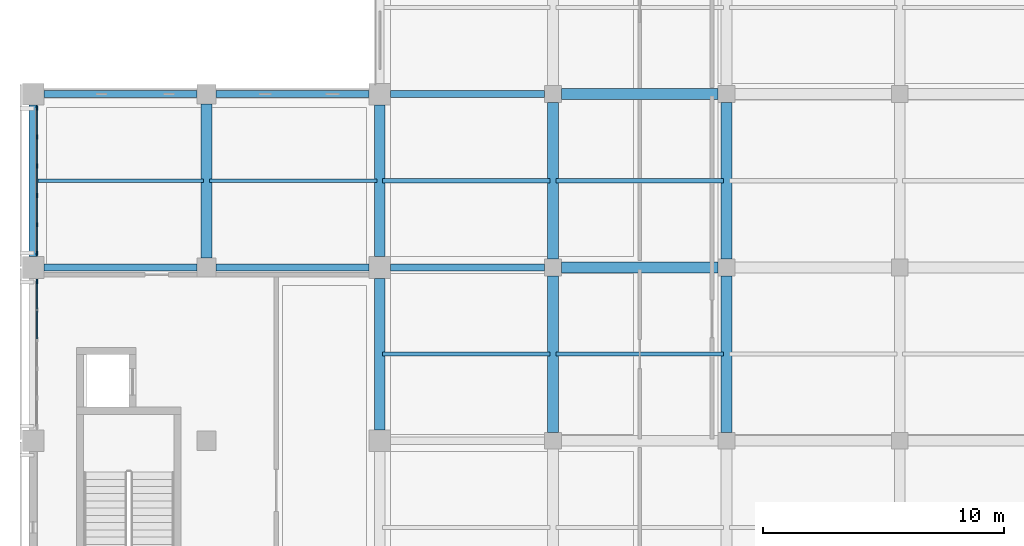
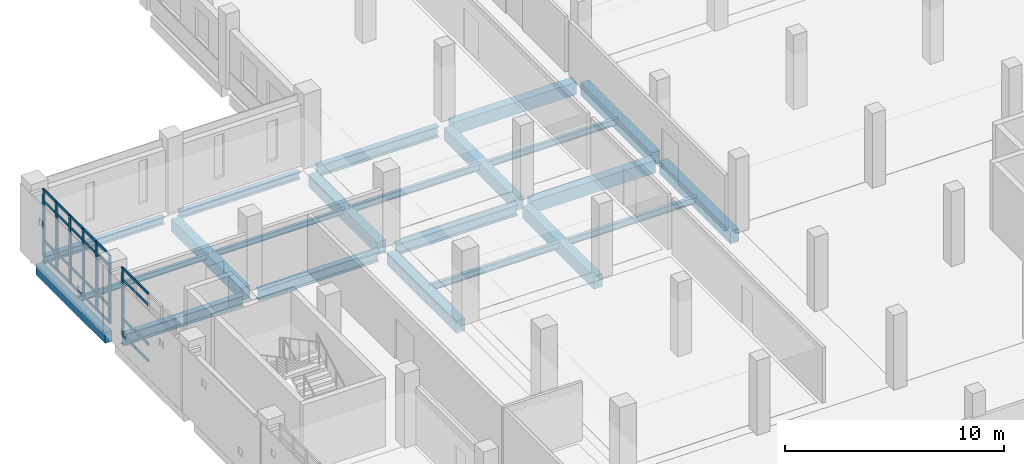
# One storey, part 16 of 57: 35 members, 22 beams, 2 elements without a shape of their own.
"""IFC4 building model written with IfcOpenShell, lengths in metres."""

from ifc_helpers import new_model, si_unit, direction, frame, origin, origin_2d, place, context, subcontext, project, spatial, rectangle, i_section, extrude, material, layer, layer_set, material_profile, profile_set, type_object, element, aggregate, save


model = new_model("IFC4")

# Units and contexts
model_context = context("Model", 3, precision=1e-05, world=origin(), true_north=direction((0.0, 1.0)))
body_context = subcontext(model_context, "Body", "Model", "MODEL_VIEW")
ifc_project = project(units=[si_unit("LENGTHUNIT", "METRE"), si_unit("AREAUNIT", "SQUARE_METRE"), si_unit("VOLUMEUNIT", "CUBIC_METRE"), si_unit("PLANEANGLEUNIT", "RADIAN"), si_unit("MASSUNIT", "GRAM", prefix="KILO")], contexts=[model_context])

# Site, building, storey
site_placement = place(None, origin())
site = spatial("IfcSite", under=ifc_project, at=site_placement, CompositionType="ELEMENT")
building_placement = place(site_placement, origin())
building = spatial("IfcBuilding", under=site, at=building_placement, Name="Valkovuoma Quantum and Materials Research Institute", CompositionType="ELEMENT")
storey_placement = place(building_placement, frame((0.0, 0.0, 4.800048828125)))
storey = spatial("IfcBuildingStorey", under=building, at=storey_placement, Name="L01", CompositionType="ELEMENT", Elevation=4.800048828125)

# Beams
ifc_material_1 = material(Name="Steel S355J2", Category="steel")
ifc_material_profile_1 = material_profile(ifc_material_1, i_section(OverallWidth=0.300048828125, OverallDepth=0.389892578125, WebThickness=0.010986328125, FlangeThickness=0.01904296875, FilletRadius=0.027099609375, at=origin_2d()), Name="Steel S355J2")
ifc_profile_set_1 = profile_set([ifc_material_profile_1], Name="Steel S355J2")
beam_type_1 = type_object("IfcBeamType", Name="Beam-B-HEA400", PredefinedType="SPANDREL", material=ifc_profile_set_1)
beam_1_placement = place(storey_placement, frame((0.449951171875, 93.60009765625, -0.545166015625), z_axis=(1.0, 0.0, 0.0), x_axis=(0.0, 1.0, 0.0)))
element("IfcBeam", 1, at=beam_1_placement, inside=storey, type_object=beam_type_1, Name="L01 beam X-0679", PredefinedType="SPANDREL", context=body_context, shape_type="SweptSolid", body=[
    extrude(i_section(OverallWidth=0.300048828125, OverallDepth=0.389892578125, WebThickness=0.010986328125, FlangeThickness=0.01904296875, FilletRadius=0.027099609375, at=origin_2d()), origin(), (0.0, 0.0, 1.0), 6.35009765625),
])
beam_2_placement = place(storey_placement, frame((7.60009765625, 93.60009765625, -0.545166015625), z_axis=(1.0, 0.0, 0.0), x_axis=(0.0, 1.0, 0.0)))
element("IfcBeam", 2, at=beam_2_placement, inside=storey, type_object=beam_type_1, Name="L01 beam X-0680", PredefinedType="SPANDREL", context=body_context, shape_type="SweptSolid", body=[
    extrude(i_section(OverallWidth=0.300048828125, OverallDepth=0.389892578125, WebThickness=0.010986328125, FlangeThickness=0.01904296875, FilletRadius=0.027099609375, at=origin_2d()), origin(), (0.0, 0.0, 1.0), 6.349853515625),
])
ifc_material_2 = material(Name="Steel S355J2", Category="steel")
ifc_material_profile_2 = material_profile(ifc_material_2, i_section(OverallWidth=0.300048828125, OverallDepth=0.60009765625, WebThickness=0.015380859375, FlangeThickness=0.030029296875, FilletRadius=0.027099609375, at=origin_2d()), Name="Steel S355J2")
ifc_profile_set_2 = profile_set([ifc_material_profile_2], Name="Steel S355J2")
beam_type_2 = type_object("IfcBeamType", Name="Beam-B-HEB600", PredefinedType="BEAM", material=ifc_profile_set_2)
beam_3_placement = place(storey_placement, frame((0.449951171875, 86.39990234375, -0.650146484375), z_axis=(1.0, 0.0, 0.0), x_axis=(0.0, 1.0, 0.0)))
element("IfcBeam", 3, at=beam_3_placement, inside=storey, type_object=beam_type_2, Name="L01 beam X-0667", PredefinedType="BEAM", context=body_context, shape_type="SweptSolid", body=[
    extrude(i_section(OverallWidth=0.300048828125, OverallDepth=0.60009765625, WebThickness=0.015380859375, FlangeThickness=0.030029296875, FilletRadius=0.027099609375, at=origin_2d()), origin(), (0.0, 0.0, 1.0), 6.35009765625),
])
beam_4_placement = place(storey_placement, frame((7.60009765625, 86.39990234375, -0.650146484375), z_axis=(1.0, 0.0, 0.0), x_axis=(0.0, 1.0, 0.0)))
element("IfcBeam", 4, at=beam_4_placement, inside=storey, type_object=beam_type_2, Name="L01 beam X-0668", PredefinedType="BEAM", context=body_context, shape_type="SweptSolid", body=[
    extrude(i_section(OverallWidth=0.300048828125, OverallDepth=0.60009765625, WebThickness=0.015380859375, FlangeThickness=0.030029296875, FilletRadius=0.027099609375, at=origin_2d()), origin(), (0.0, 0.0, 1.0), 6.349853515625),
])
for number, where, z_axis, x_axis, name in (
    (5, (14.85009765625, 86.39990234375, -0.650146484375), (1.0, 0.0, 0.0), (0.0, 1.0, 0.0), "L01 beam X-0669"),
    (6, (14.85009765625, 93.60009765625, -0.650146484375), (1.0, 0.0, 0.0), (0.0, 1.0, 0.0), "L01 beam X-0681"),
):
    element("IfcBeam", number, at=place(storey_placement, frame(where, z_axis=z_axis, x_axis=x_axis)), inside=storey, type_object=beam_type_2, Name=name, PredefinedType="BEAM", context=body_context, shape_type="SweptSolid", body=[
        extrude(i_section(OverallWidth=0.300048828125, OverallDepth=0.60009765625, WebThickness=0.015380859375, FlangeThickness=0.030029296875, FilletRadius=0.027099609375, at=origin_2d()), origin(), (0.0, 0.0, 1.0), 6.39990234375),
    ])
ifc_material_3 = material(Name="Steel S355J2", Category="steel")
ifc_material_profile_3 = material_profile(ifc_material_3, i_section(OverallWidth=0.14990234375, OverallDepth=0.300048828125, WebThickness=0.007080078125, FlangeThickness=0.0107421875, FilletRadius=0.014892578125, at=origin_2d()), Name="Steel S355J2")
ifc_profile_set_3 = profile_set([ifc_material_profile_3], Name="Steel S355J2")
beam_type_3 = type_object("IfcBeamType", Name="Beam-B-JST300", PredefinedType="JOIST", material=ifc_profile_set_3)
for number, where, z_axis, x_axis, name in (
    (7, (0.1201171875, 90.0, -0.5), (1.0, 0.0, 0.0), (0.0, 1.0, 0.0), "L01 floor joist 0950"),
    (8, (7.320068359375, 90.0, -0.5), (1.0, 0.0, 0.0), (0.0, 1.0, 0.0), "L01 floor joist 0951"),
):
    element("IfcBeam", number, at=place(storey_placement, frame(where, z_axis=z_axis, x_axis=x_axis)), inside=storey, type_object=beam_type_3, Name=name, PredefinedType="JOIST", context=body_context, shape_type="SweptSolid", body=[
        extrude(i_section(OverallWidth=0.14990234375, OverallDepth=0.300048828125, WebThickness=0.007080078125, FlangeThickness=0.0107421875, FilletRadius=0.014892578125, at=origin_2d()), origin(), (0.0, 0.0, 1.0), 6.9599609375),
    ])
ifc_material_4 = material(Name="Steel S355J2", Category="steel")
ifc_material_profile_4 = material_profile(ifc_material_4, i_section(OverallWidth=0.169921875, OverallDepth=0.360107421875, WebThickness=0.008056640625, FlangeThickness=0.0126953125, FilletRadius=0.01806640625, at=origin_2d()), Name="Steel S355J2")
ifc_profile_set_4 = profile_set([ifc_material_profile_4], Name="Steel S355J2")
beam_type_4 = type_object("IfcBeamType", Name="Beam-B-JST360", PredefinedType="JOIST", material=ifc_profile_set_4)
for number, where, z_axis, x_axis, name in (
    (9, (14.52001953125, 82.800048828125, -0.530029296875), (1.0, 0.0, 0.0), (0.0, 1.0, 0.0), "L01 floor joist 0940"),
    (10, (21.719970703125, 82.800048828125, -0.530029296875), (1.0, 0.0, 0.0), (0.0, 1.0, 0.0), "L01 floor joist 0941"),
    (11, (14.52001953125, 90.0, -0.530029296875), (1.0, 0.0, 0.0), (0.0, 1.0, 0.0), "L01 floor joist 0952"),
    (12, (21.719970703125, 90.0, -0.530029296875), (1.0, 0.0, 0.0), (0.0, 1.0, 0.0), "L01 floor joist 0953"),
):
    element("IfcBeam", number, at=place(storey_placement, frame(where, z_axis=z_axis, x_axis=x_axis)), inside=storey, type_object=beam_type_4, Name=name, PredefinedType="JOIST", context=body_context, shape_type="SweptSolid", body=[
        extrude(i_section(OverallWidth=0.169921875, OverallDepth=0.360107421875, WebThickness=0.008056640625, FlangeThickness=0.0126953125, FilletRadius=0.01806640625, at=origin_2d()), origin(), (0.0, 0.0, 1.0), 6.9599609375),
    ])
ifc_material_5 = material(Name="Concrete C40/50", Category="concrete")
ifc_material_profile_5 = material_profile(ifc_material_5, rectangle(XDim=0.449951171875, YDim=0.699951171875, at=origin_2d()), Name="Concrete C40/50")
ifc_profile_set_5 = profile_set([ifc_material_profile_5], Name="Concrete C40/50")
beam_type_5 = type_object("IfcBeamType", Name="Beam-B-RC700", PredefinedType="BEAM", material=ifc_profile_set_5)
for number, where, z_axis, x_axis, name in (
    (13, (21.949951171875, 86.39990234375, -0.699951171875), (1.0, 0.0, 0.0), (0.0, 1.0, 0.0), "L01 beam X-0670"),
    (14, (21.949951171875, 93.60009765625, -0.699951171875), (1.0, 0.0, 0.0), (0.0, 1.0, 0.0), "L01 beam X-0682"),
):
    element("IfcBeam", number, at=place(storey_placement, frame(where, z_axis=z_axis, x_axis=x_axis)), inside=storey, type_object=beam_type_5, Name=name, PredefinedType="BEAM", context=body_context, shape_type="SweptSolid", body=[
        extrude(rectangle(XDim=0.449951171875, YDim=0.699951171875, at=origin_2d()), origin(), (0.0, 0.0, 1.0), 6.5),
    ])
beam_5_placement = place(storey_placement, frame((7.199951171875, 86.800048828125, -0.699951171875), z_axis=(0.0, 1.0, 0.0), x_axis=(-1.0, 0.0, 0.0)))
element("IfcBeam", 15, at=beam_5_placement, inside=storey, type_object=beam_type_5, Name="L01 beam Y-0723", PredefinedType="BEAM", context=body_context, shape_type="SweptSolid", body=[
    extrude(rectangle(XDim=0.449951171875, YDim=0.699951171875, at=origin_2d()), origin(), (0.0, 0.0, 1.0), 6.39990234375),
])
beam_6_placement = place(storey_placement, frame((14.39990234375, 79.64990234375, -0.699951171875), z_axis=(0.0, 1.0, 0.0), x_axis=(-1.0, 0.0, 0.0)))
element("IfcBeam", 16, at=beam_6_placement, inside=storey, type_object=beam_type_5, Name="L01 beam Y-0727", PredefinedType="BEAM", context=body_context, shape_type="SweptSolid", body=[
    extrude(rectangle(XDim=0.449951171875, YDim=0.699951171875, at=origin_2d()), origin(), (0.0, 0.0, 1.0), 6.300048828125),
])
beam_7_placement = place(storey_placement, frame((14.39990234375, 86.85009765625, -0.699951171875), z_axis=(0.0, 1.0, 0.0), x_axis=(-1.0, 0.0, 0.0)))
element("IfcBeam", 17, at=beam_7_placement, inside=storey, type_object=beam_type_5, Name="L01 beam Y-0728", PredefinedType="BEAM", context=body_context, shape_type="SweptSolid", body=[
    extrude(rectangle(XDim=0.449951171875, YDim=0.699951171875, at=origin_2d()), origin(), (0.0, 0.0, 1.0), 6.2998046875),
])
for number, where, z_axis, x_axis, name in (
    (18, (21.60009765625, 79.550048828125, -0.699951171875), (0.0, 1.0, 0.0), (-1.0, 0.0, 0.0), "L01 beam Y-0737"),
    (19, (21.60009765625, 86.75, -0.699951171875), (0.0, 1.0, 0.0), (-1.0, 0.0, 0.0), "L01 beam Y-0738"),
    (20, (28.800048828125, 79.550048828125, -0.699951171875), (0.0, 1.0, 0.0), (-1.0, 0.0, 0.0), "L01 beam Y-0747"),
    (21, (28.800048828125, 86.75, -0.699951171875), (0.0, 1.0, 0.0), (-1.0, 0.0, 0.0), "L01 beam Y-0748"),
):
    element("IfcBeam", number, at=place(storey_placement, frame(where, z_axis=z_axis, x_axis=x_axis)), inside=storey, type_object=beam_type_5, Name=name, PredefinedType="BEAM", context=body_context, shape_type="SweptSolid", body=[
        extrude(rectangle(XDim=0.449951171875, YDim=0.699951171875, at=origin_2d()), origin(), (0.0, 0.0, 1.0), 6.5),
    ])
ifc_material_6 = material(Name="Concrete C40/50", Category="concrete")
ifc_material_profile_6 = material_profile(ifc_material_6, rectangle(XDim=0.35009765625, YDim=0.60009765625, at=origin_2d()), Name="Concrete C40/50")
ifc_profile_set_6 = profile_set([ifc_material_profile_6], Name="Concrete C40/50")
beam_type_6 = type_object("IfcBeamType", Name="Beam-B-SPN600", PredefinedType="SPANDREL", material=ifc_profile_set_6)
beam_8_placement = place(storey_placement, frame((0.0, 86.85009765625, -0.650146484375), z_axis=(0.0, 1.0, 0.0), x_axis=(-1.0, 0.0, 0.0)))
element("IfcBeam", 22, at=beam_8_placement, inside=storey, type_object=beam_type_6, Name="L01 beam Y-0720", PredefinedType="SPANDREL", context=body_context, shape_type="SweptSolid", body=[
    extrude(rectangle(XDim=0.35009765625, YDim=0.60009765625, at=origin_2d()), origin(), (0.0, 0.0, 1.0), 6.2998046875),
])

# Curtain wall, member
ifc_material_7 = material(Name="Thermally broken aluminium and triple low-E glazing", Category="aluminium")
ifc_layer = layer(ifc_material_7, 0.219970703125)
ifc_layer_set = layer_set([ifc_layer], Name="Thermally broken aluminium and triple low-E glazing")
curtain_wall_type = type_object("IfcCurtainWallType", Name="CW-CW-01", PredefinedType="NOTDEFINED", material=ifc_layer_set)
curtain_wall_1_placement = place(storey_placement, origin())
curtain_wall_1 = element("IfcCurtainWall", 23, at=curtain_wall_1_placement, inside=storey, type_object=curtain_wall_type, Name="L01 curtain wall 016", PredefinedType="NOTDEFINED")
ifc_material_8 = material(Name="Anodised aluminium 6060-T66", Category="aluminium")
ifc_material_profile_7 = material_profile(ifc_material_8, rectangle(XDim=0.06494140625, YDim=0.179931640625, at=origin_2d()), Name="Anodised aluminium 6060-T66")
ifc_profile_set_7 = profile_set([ifc_material_profile_7], Name="Anodised aluminium 6060-T66")
member_type_1 = type_object("IfcMemberType", Name="CWMull-CWM-01", PredefinedType="MULLION", material=ifc_profile_set_7)
member_1_placement = place(storey_placement, frame((0.14990234375, 85.810302734375, 0.0), z_axis=(0.0, 0.0, 1.0), x_axis=(-1.0, 0.0, 0.0)))
member_1 = element("IfcMember", 24, at=member_1_placement, type_object=member_type_1, Name="CW-01 mullion 6", PredefinedType="MULLION", context=body_context, shape_type="SweptSolid", body=[
    extrude(rectangle(XDim=0.06494140625, YDim=0.179931640625, at=origin_2d()), origin(), (0.0, 0.0, 1.0), 3.81005859375),
])

# Curtain wall, members
curtain_wall_2_placement = place(storey_placement, origin())
curtain_wall_2 = element("IfcCurtainWall", 25, at=curtain_wall_2_placement, inside=storey, type_object=curtain_wall_type, Name="L01 curtain wall 017", PredefinedType="NOTDEFINED")
member_2_placement = place(storey_placement, frame((0.14990234375, 86.989501953125, 0.0), z_axis=(0.0, 0.0, 1.0), x_axis=(-1.0, 0.0, 0.0)))
member_2 = element("IfcMember", 26, at=member_2_placement, type_object=member_type_1, Name="CW-01 mullion 1", PredefinedType="MULLION", context=body_context, shape_type="SweptSolid", body=[
    extrude(rectangle(XDim=0.06494140625, YDim=0.179931640625, at=origin_2d()), origin(), (0.0, 0.0, 1.0), 3.81005859375),
])
member_3_placement = place(storey_placement, frame((0.14990234375, 88.17431640625, 0.0), z_axis=(0.0, 0.0, 1.0), x_axis=(-1.0, 0.0, 0.0)))
member_3 = element("IfcMember", 27, at=member_3_placement, type_object=member_type_1, Name="CW-01 mullion 2", PredefinedType="MULLION", context=body_context, shape_type="SweptSolid", body=[
    extrude(rectangle(XDim=0.06494140625, YDim=0.179931640625, at=origin_2d()), origin(), (0.0, 0.0, 1.0), 3.81005859375),
])
member_4_placement = place(storey_placement, frame((0.14990234375, 89.391357421875, 0.0), z_axis=(0.0, 0.0, 1.0), x_axis=(-1.0, 0.0, 0.0)))
member_4 = element("IfcMember", 28, at=member_4_placement, type_object=member_type_1, Name="CW-01 mullion 3", PredefinedType="MULLION", context=body_context, shape_type="SweptSolid", body=[
    extrude(rectangle(XDim=0.06494140625, YDim=0.179931640625, at=origin_2d()), origin(), (0.0, 0.0, 1.0), 3.81005859375),
])
member_5_placement = place(storey_placement, frame((0.14990234375, 90.608642578125, 0.0), z_axis=(0.0, 0.0, 1.0), x_axis=(-1.0, 0.0, 0.0)))
member_5 = element("IfcMember", 29, at=member_5_placement, type_object=member_type_1, Name="CW-01 mullion 4", PredefinedType="MULLION", context=body_context, shape_type="SweptSolid", body=[
    extrude(rectangle(XDim=0.06494140625, YDim=0.179931640625, at=origin_2d()), origin(), (0.0, 0.0, 1.0), 3.81005859375),
])
member_6_placement = place(storey_placement, frame((0.14990234375, 91.82568359375, 0.0), z_axis=(0.0, 0.0, 1.0), x_axis=(-1.0, 0.0, 0.0)))
member_6 = element("IfcMember", 30, at=member_6_placement, type_object=member_type_1, Name="CW-01 mullion 5", PredefinedType="MULLION", context=body_context, shape_type="SweptSolid", body=[
    extrude(rectangle(XDim=0.06494140625, YDim=0.179931640625, at=origin_2d()), origin(), (0.0, 0.0, 1.0), 3.81005859375),
])
member_7_placement = place(storey_placement, frame((0.14990234375, 93.010498046875, 0.0), z_axis=(0.0, 0.0, 1.0), x_axis=(-1.0, 0.0, 0.0)))
member_7 = element("IfcMember", 31, at=member_7_placement, type_object=member_type_1, Name="CW-01 mullion 6", PredefinedType="MULLION", context=body_context, shape_type="SweptSolid", body=[
    extrude(rectangle(XDim=0.06494140625, YDim=0.179931640625, at=origin_2d()), origin(), (0.0, 0.0, 1.0), 3.81005859375),
])

# Member
ifc_material_9 = material(Name="Anodised aluminium 6060-T66", Category="aluminium")
ifc_material_profile_8 = material_profile(ifc_material_9, rectangle(XDim=0.06494140625, YDim=0.139892578125, at=origin_2d()), Name="Anodised aluminium 6060-T66")
ifc_profile_set_8 = profile_set([ifc_material_profile_8], Name="Anodised aluminium 6060-T66")
member_type_2 = type_object("IfcMemberType", Name="CWTran-CWT-01", PredefinedType="USERDEFINED", material=ifc_profile_set_8)
member_8_placement = place(storey_placement, frame((0.14990234375, 83.441162109375, 0.032470703125), z_axis=(0.0, 1.0, 0.0), x_axis=(-1.0, 0.0, 0.0)))
member_8 = element("IfcMember", 32, at=member_8_placement, type_object=member_type_2, Name="CW-01 transom 4.1", ObjectType="TRANSOM", PredefinedType="USERDEFINED", context=body_context, shape_type="SweptSolid", body=[
    extrude(rectangle(XDim=0.06494140625, YDim=0.139892578125, at=origin_2d()), origin(), (0.0, 0.0, 1.0), 1.152099609375),
])

member_9_placement = place(storey_placement, frame((0.14990234375, 83.441162109375, 0.949951171875), z_axis=(0.0, 1.0, 0.0), x_axis=(-1.0, 0.0, 0.0)))
member_9 = element("IfcMember", 33, at=member_9_placement, type_object=member_type_2, Name="CW-01 transom 4.2", ObjectType="TRANSOM", PredefinedType="USERDEFINED", context=body_context, shape_type="SweptSolid", body=[
    extrude(rectangle(XDim=0.06494140625, YDim=0.139892578125, at=origin_2d()), origin(), (0.0, 0.0, 1.0), 1.152099609375),
])

member_10_placement = place(storey_placement, frame((0.14990234375, 83.441162109375, 3.159912109375), z_axis=(0.0, 1.0, 0.0), x_axis=(-1.0, 0.0, 0.0)))
member_10 = element("IfcMember", 34, at=member_10_placement, type_object=member_type_2, Name="CW-01 transom 4.3", ObjectType="TRANSOM", PredefinedType="USERDEFINED", context=body_context, shape_type="SweptSolid", body=[
    extrude(rectangle(XDim=0.06494140625, YDim=0.139892578125, at=origin_2d()), origin(), (0.0, 0.0, 1.0), 1.152099609375),
])

member_11_placement = place(storey_placement, frame((0.14990234375, 83.441162109375, 3.77734375), z_axis=(0.0, 1.0, 0.0), x_axis=(-1.0, 0.0, 0.0)))
member_11 = element("IfcMember", 35, at=member_11_placement, type_object=member_type_2, Name="CW-01 transom 4.4", ObjectType="TRANSOM", PredefinedType="USERDEFINED", context=body_context, shape_type="SweptSolid", body=[
    extrude(rectangle(XDim=0.06494140625, YDim=0.139892578125, at=origin_2d()), origin(), (0.0, 0.0, 1.0), 1.152099609375),
])

member_12_placement = place(storey_placement, frame((0.14990234375, 84.658203125, 0.032470703125), z_axis=(0.0, 1.0, 0.0), x_axis=(-1.0, 0.0, 0.0)))
member_12 = element("IfcMember", 36, at=member_12_placement, type_object=member_type_2, Name="CW-01 transom 5.1", ObjectType="TRANSOM", PredefinedType="USERDEFINED", context=body_context, shape_type="SweptSolid", body=[
    extrude(rectangle(XDim=0.06494140625, YDim=0.139892578125, at=origin_2d()), origin(), (0.0, 0.0, 1.0), 1.11962890625),
])

member_13_placement = place(storey_placement, frame((0.14990234375, 84.658203125, 0.949951171875), z_axis=(0.0, 1.0, 0.0), x_axis=(-1.0, 0.0, 0.0)))
member_13 = element("IfcMember", 37, at=member_13_placement, type_object=member_type_2, Name="CW-01 transom 5.2", ObjectType="TRANSOM", PredefinedType="USERDEFINED", context=body_context, shape_type="SweptSolid", body=[
    extrude(rectangle(XDim=0.06494140625, YDim=0.139892578125, at=origin_2d()), origin(), (0.0, 0.0, 1.0), 1.11962890625),
])

member_14_placement = place(storey_placement, frame((0.14990234375, 84.658203125, 3.159912109375), z_axis=(0.0, 1.0, 0.0), x_axis=(-1.0, 0.0, 0.0)))
member_14 = element("IfcMember", 38, at=member_14_placement, type_object=member_type_2, Name="CW-01 transom 5.3", ObjectType="TRANSOM", PredefinedType="USERDEFINED", context=body_context, shape_type="SweptSolid", body=[
    extrude(rectangle(XDim=0.06494140625, YDim=0.139892578125, at=origin_2d()), origin(), (0.0, 0.0, 1.0), 1.11962890625),
])

member_15_placement = place(storey_placement, frame((0.14990234375, 84.658203125, 3.77734375), z_axis=(0.0, 1.0, 0.0), x_axis=(-1.0, 0.0, 0.0)))
member_15 = element("IfcMember", 39, at=member_15_placement, type_object=member_type_2, Name="CW-01 transom 5.4", ObjectType="TRANSOM", PredefinedType="USERDEFINED", context=body_context, shape_type="SweptSolid", body=[
    extrude(rectangle(XDim=0.06494140625, YDim=0.139892578125, at=origin_2d()), origin(), (0.0, 0.0, 1.0), 1.11962890625),
])

aggregate(curtain_wall_1, [member_1, member_8, member_9, member_10, member_11, member_12, member_13, member_14, member_15])

member_16_placement = place(storey_placement, frame((0.14990234375, 87.022216796875, 0.032470703125), z_axis=(0.0, 1.0, 0.0), x_axis=(-1.0, 0.0, 0.0)))
member_16 = element("IfcMember", 40, at=member_16_placement, type_object=member_type_2, Name="CW-01 transom 1.1", ObjectType="TRANSOM", PredefinedType="USERDEFINED", context=body_context, shape_type="SweptSolid", body=[
    extrude(rectangle(XDim=0.06494140625, YDim=0.139892578125, at=origin_2d()), origin(), (0.0, 0.0, 1.0), 1.11962890625),
])

member_17_placement = place(storey_placement, frame((0.14990234375, 87.022216796875, 0.949951171875), z_axis=(0.0, 1.0, 0.0), x_axis=(-1.0, 0.0, 0.0)))
member_17 = element("IfcMember", 41, at=member_17_placement, type_object=member_type_2, Name="CW-01 transom 1.2", ObjectType="TRANSOM", PredefinedType="USERDEFINED", context=body_context, shape_type="SweptSolid", body=[
    extrude(rectangle(XDim=0.06494140625, YDim=0.139892578125, at=origin_2d()), origin(), (0.0, 0.0, 1.0), 1.11962890625),
])

member_18_placement = place(storey_placement, frame((0.14990234375, 87.022216796875, 3.159912109375), z_axis=(0.0, 1.0, 0.0), x_axis=(-1.0, 0.0, 0.0)))
member_18 = element("IfcMember", 42, at=member_18_placement, type_object=member_type_2, Name="CW-01 transom 1.3", ObjectType="TRANSOM", PredefinedType="USERDEFINED", context=body_context, shape_type="SweptSolid", body=[
    extrude(rectangle(XDim=0.06494140625, YDim=0.139892578125, at=origin_2d()), origin(), (0.0, 0.0, 1.0), 1.11962890625),
])

member_19_placement = place(storey_placement, frame((0.14990234375, 87.022216796875, 3.77734375), z_axis=(0.0, 1.0, 0.0), x_axis=(-1.0, 0.0, 0.0)))
member_19 = element("IfcMember", 43, at=member_19_placement, type_object=member_type_2, Name="CW-01 transom 1.4", ObjectType="TRANSOM", PredefinedType="USERDEFINED", context=body_context, shape_type="SweptSolid", body=[
    extrude(rectangle(XDim=0.06494140625, YDim=0.139892578125, at=origin_2d()), origin(), (0.0, 0.0, 1.0), 1.11962890625),
])

member_20_placement = place(storey_placement, frame((0.14990234375, 88.206787109375, 0.032470703125), z_axis=(0.0, 1.0, 0.0), x_axis=(-1.0, 0.0, 0.0)))
member_20 = element("IfcMember", 44, at=member_20_placement, type_object=member_type_2, Name="CW-01 transom 2.1", ObjectType="TRANSOM", PredefinedType="USERDEFINED", context=body_context, shape_type="SweptSolid", body=[
    extrude(rectangle(XDim=0.06494140625, YDim=0.139892578125, at=origin_2d()), origin(), (0.0, 0.0, 1.0), 1.152099609375),
])

member_21_placement = place(storey_placement, frame((0.14990234375, 88.206787109375, 0.949951171875), z_axis=(0.0, 1.0, 0.0), x_axis=(-1.0, 0.0, 0.0)))
member_21 = element("IfcMember", 45, at=member_21_placement, type_object=member_type_2, Name="CW-01 transom 2.2", ObjectType="TRANSOM", PredefinedType="USERDEFINED", context=body_context, shape_type="SweptSolid", body=[
    extrude(rectangle(XDim=0.06494140625, YDim=0.139892578125, at=origin_2d()), origin(), (0.0, 0.0, 1.0), 1.152099609375),
])

member_22_placement = place(storey_placement, frame((0.14990234375, 88.206787109375, 3.159912109375), z_axis=(0.0, 1.0, 0.0), x_axis=(-1.0, 0.0, 0.0)))
member_22 = element("IfcMember", 46, at=member_22_placement, type_object=member_type_2, Name="CW-01 transom 2.3", ObjectType="TRANSOM", PredefinedType="USERDEFINED", context=body_context, shape_type="SweptSolid", body=[
    extrude(rectangle(XDim=0.06494140625, YDim=0.139892578125, at=origin_2d()), origin(), (0.0, 0.0, 1.0), 1.152099609375),
])

member_23_placement = place(storey_placement, frame((0.14990234375, 88.206787109375, 3.77734375), z_axis=(0.0, 1.0, 0.0), x_axis=(-1.0, 0.0, 0.0)))
member_23 = element("IfcMember", 47, at=member_23_placement, type_object=member_type_2, Name="CW-01 transom 2.4", ObjectType="TRANSOM", PredefinedType="USERDEFINED", context=body_context, shape_type="SweptSolid", body=[
    extrude(rectangle(XDim=0.06494140625, YDim=0.139892578125, at=origin_2d()), origin(), (0.0, 0.0, 1.0), 1.152099609375),
])

member_24_placement = place(storey_placement, frame((0.14990234375, 89.423828125, 0.032470703125), z_axis=(0.0, 1.0, 0.0), x_axis=(-1.0, 0.0, 0.0)))
member_24 = element("IfcMember", 48, at=member_24_placement, type_object=member_type_2, Name="CW-01 transom 3.1", ObjectType="TRANSOM", PredefinedType="USERDEFINED", context=body_context, shape_type="SweptSolid", body=[
    extrude(rectangle(XDim=0.06494140625, YDim=0.139892578125, at=origin_2d()), origin(), (0.0, 0.0, 1.0), 1.15234375),
])

member_25_placement = place(storey_placement, frame((0.14990234375, 89.423828125, 0.949951171875), z_axis=(0.0, 1.0, 0.0), x_axis=(-1.0, 0.0, 0.0)))
member_25 = element("IfcMember", 49, at=member_25_placement, type_object=member_type_2, Name="CW-01 transom 3.2", ObjectType="TRANSOM", PredefinedType="USERDEFINED", context=body_context, shape_type="SweptSolid", body=[
    extrude(rectangle(XDim=0.06494140625, YDim=0.139892578125, at=origin_2d()), origin(), (0.0, 0.0, 1.0), 1.15234375),
])

member_26_placement = place(storey_placement, frame((0.14990234375, 89.423828125, 3.159912109375), z_axis=(0.0, 1.0, 0.0), x_axis=(-1.0, 0.0, 0.0)))
member_26 = element("IfcMember", 50, at=member_26_placement, type_object=member_type_2, Name="CW-01 transom 3.3", ObjectType="TRANSOM", PredefinedType="USERDEFINED", context=body_context, shape_type="SweptSolid", body=[
    extrude(rectangle(XDim=0.06494140625, YDim=0.139892578125, at=origin_2d()), origin(), (0.0, 0.0, 1.0), 1.15234375),
])

member_27_placement = place(storey_placement, frame((0.14990234375, 89.423828125, 3.77734375), z_axis=(0.0, 1.0, 0.0), x_axis=(-1.0, 0.0, 0.0)))
member_27 = element("IfcMember", 51, at=member_27_placement, type_object=member_type_2, Name="CW-01 transom 3.4", ObjectType="TRANSOM", PredefinedType="USERDEFINED", context=body_context, shape_type="SweptSolid", body=[
    extrude(rectangle(XDim=0.06494140625, YDim=0.139892578125, at=origin_2d()), origin(), (0.0, 0.0, 1.0), 1.15234375),
])

member_28_placement = place(storey_placement, frame((0.14990234375, 90.64111328125, 0.032470703125), z_axis=(0.0, 1.0, 0.0), x_axis=(-1.0, 0.0, 0.0)))
member_28 = element("IfcMember", 52, at=member_28_placement, type_object=member_type_2, Name="CW-01 transom 4.1", ObjectType="TRANSOM", PredefinedType="USERDEFINED", context=body_context, shape_type="SweptSolid", body=[
    extrude(rectangle(XDim=0.06494140625, YDim=0.139892578125, at=origin_2d()), origin(), (0.0, 0.0, 1.0), 1.152099609375),
])

member_29_placement = place(storey_placement, frame((0.14990234375, 90.64111328125, 0.949951171875), z_axis=(0.0, 1.0, 0.0), x_axis=(-1.0, 0.0, 0.0)))
member_29 = element("IfcMember", 53, at=member_29_placement, type_object=member_type_2, Name="CW-01 transom 4.2", ObjectType="TRANSOM", PredefinedType="USERDEFINED", context=body_context, shape_type="SweptSolid", body=[
    extrude(rectangle(XDim=0.06494140625, YDim=0.139892578125, at=origin_2d()), origin(), (0.0, 0.0, 1.0), 1.152099609375),
])

member_30_placement = place(storey_placement, frame((0.14990234375, 90.64111328125, 3.159912109375), z_axis=(0.0, 1.0, 0.0), x_axis=(-1.0, 0.0, 0.0)))
member_30 = element("IfcMember", 54, at=member_30_placement, type_object=member_type_2, Name="CW-01 transom 4.3", ObjectType="TRANSOM", PredefinedType="USERDEFINED", context=body_context, shape_type="SweptSolid", body=[
    extrude(rectangle(XDim=0.06494140625, YDim=0.139892578125, at=origin_2d()), origin(), (0.0, 0.0, 1.0), 1.152099609375),
])

member_31_placement = place(storey_placement, frame((0.14990234375, 90.64111328125, 3.77734375), z_axis=(0.0, 1.0, 0.0), x_axis=(-1.0, 0.0, 0.0)))
member_31 = element("IfcMember", 55, at=member_31_placement, type_object=member_type_2, Name="CW-01 transom 4.4", ObjectType="TRANSOM", PredefinedType="USERDEFINED", context=body_context, shape_type="SweptSolid", body=[
    extrude(rectangle(XDim=0.06494140625, YDim=0.139892578125, at=origin_2d()), origin(), (0.0, 0.0, 1.0), 1.152099609375),
])

member_32_placement = place(storey_placement, frame((0.14990234375, 91.858154296875, 0.032470703125), z_axis=(0.0, 1.0, 0.0), x_axis=(-1.0, 0.0, 0.0)))
member_32 = element("IfcMember", 56, at=member_32_placement, type_object=member_type_2, Name="CW-01 transom 5.1", ObjectType="TRANSOM", PredefinedType="USERDEFINED", context=body_context, shape_type="SweptSolid", body=[
    extrude(rectangle(XDim=0.06494140625, YDim=0.139892578125, at=origin_2d()), origin(), (0.0, 0.0, 1.0), 1.11962890625),
])

member_33_placement = place(storey_placement, frame((0.14990234375, 91.858154296875, 0.949951171875), z_axis=(0.0, 1.0, 0.0), x_axis=(-1.0, 0.0, 0.0)))
member_33 = element("IfcMember", 57, at=member_33_placement, type_object=member_type_2, Name="CW-01 transom 5.2", ObjectType="TRANSOM", PredefinedType="USERDEFINED", context=body_context, shape_type="SweptSolid", body=[
    extrude(rectangle(XDim=0.06494140625, YDim=0.139892578125, at=origin_2d()), origin(), (0.0, 0.0, 1.0), 1.11962890625),
])

member_34_placement = place(storey_placement, frame((0.14990234375, 91.858154296875, 3.159912109375), z_axis=(0.0, 1.0, 0.0), x_axis=(-1.0, 0.0, 0.0)))
member_34 = element("IfcMember", 58, at=member_34_placement, type_object=member_type_2, Name="CW-01 transom 5.3", ObjectType="TRANSOM", PredefinedType="USERDEFINED", context=body_context, shape_type="SweptSolid", body=[
    extrude(rectangle(XDim=0.06494140625, YDim=0.139892578125, at=origin_2d()), origin(), (0.0, 0.0, 1.0), 1.11962890625),
])

member_35_placement = place(storey_placement, frame((0.14990234375, 91.858154296875, 3.77734375), z_axis=(0.0, 1.0, 0.0), x_axis=(-1.0, 0.0, 0.0)))
member_35 = element("IfcMember", 59, at=member_35_placement, type_object=member_type_2, Name="CW-01 transom 5.4", ObjectType="TRANSOM", PredefinedType="USERDEFINED", context=body_context, shape_type="SweptSolid", body=[
    extrude(rectangle(XDim=0.06494140625, YDim=0.139892578125, at=origin_2d()), origin(), (0.0, 0.0, 1.0), 1.11962890625),
])

aggregate(curtain_wall_2, [member_2, member_3, member_4, member_5, member_6, member_7, member_16, member_17, member_18, member_19, member_20, member_21, member_22, member_23, member_24, member_25, member_26, member_27, member_28, member_29, member_30, member_31, member_32, member_33, member_34, member_35])

save(model, "model.ifc")
